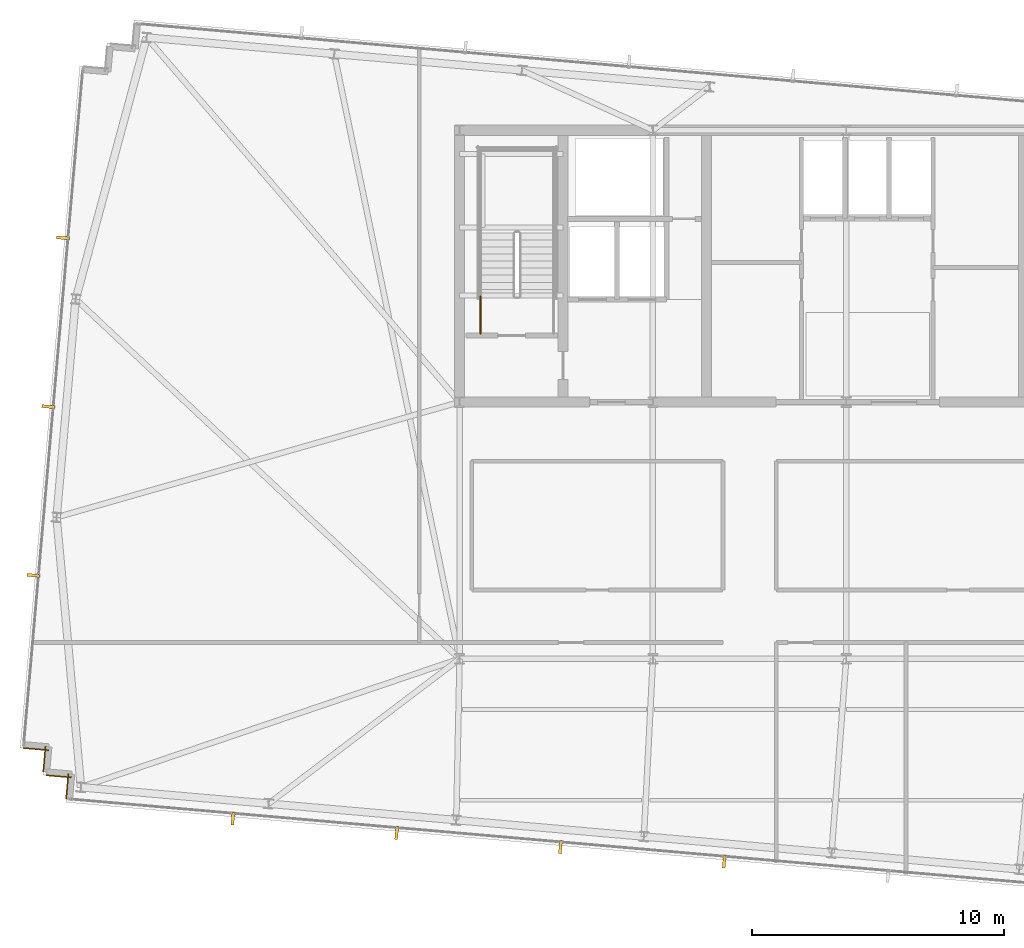
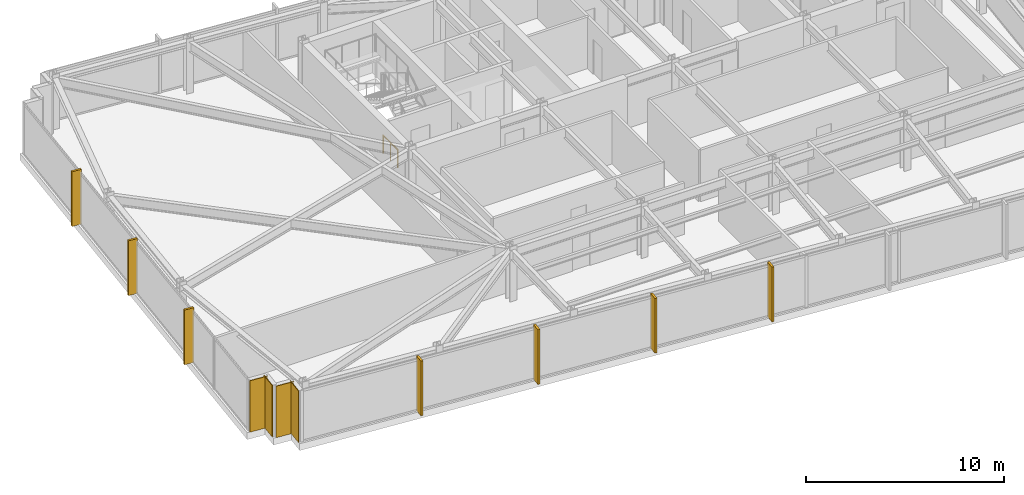
# One storey, part 29 of 32: 7 shading devices, 4 coverings, 1 railing.
"""IFC4 building model written with IfcOpenShell, lengths in metres."""

import ifcopenshell
import ifcopenshell.guid

model = None  # the IFC model being written
_history = None  # IfcOwnerHistory: only IFC2X3 demands one
_inside = {}  # id of a spatial element -> (the spatial element, [elements in it])
_under = {}  # id of a project, library or spatial element -> (it, [spatial elements below it])
_declared = {}  # id of a project -> (the project, [libraries it declares])
_typed = {}  # id of a type object -> (the type object, [elements of that type])
_made_of = {}  # id of a material, layer set ... -> (it, [elements and type objects made of it])


def new_model(schema):
    """Start an empty IFC model of exactly this schema.

    Asked for "IFC4X3", IfcOpenShell would pick the latest addendum, in which some entities
    have other attributes; the version numbers below select the first issue.
    IFC2X3 requires an IfcOwnerHistory on every rooted entity: one is made here for all.
    """
    global model, _history
    if schema == "IFC4X3":
        model = ifcopenshell.file(schema_version=(4, 3, 0, 0))
    else:
        model = ifcopenshell.file(schema=schema)
    _inside.clear()
    _under.clear()
    _declared.clear()
    _typed.clear()
    _made_of.clear()
    _history = None
    if model.schema == "IFC2X3":
        org = make("IfcOrganization", Name="unknown")
        user = make(
            "IfcPersonAndOrganization",
            ThePerson=make("IfcPerson", FamilyName="unknown"),
            TheOrganization=org,
        )
        app = make(
            "IfcApplication",
            ApplicationDeveloper=org,
            Version="unknown",
            ApplicationFullName="unknown",
            ApplicationIdentifier="unknown",
        )
        _history = make(
            "IfcOwnerHistory",
            OwningUser=user,
            OwningApplication=app,
            ChangeAction="ADDED",
            CreationDate=0,
        )
    return model


def make(cls, **values):
    """One entity of the class cls with the attributes given. An attribute that is None is left unset."""
    return model.create_entity(
        cls, **{name: value for name, value in values.items() if value is not None}
    )


def rooted(cls, **values):
    """An entity with a GlobalId (a new one), such as an element, a storey or a relation."""
    return make(cls, GlobalId=ifcopenshell.guid.new(), OwnerHistory=_history, **values)


def si_unit(unit_type, name, prefix=None):
    """IfcSIUnit, for example si_unit("LENGTHUNIT", "METRE", prefix="MILLI")."""
    return make("IfcSIUnit", UnitType=unit_type, Prefix=prefix, Name=name)


def assignment(units):
    """IfcUnitAssignment: the units of a project."""
    return None if units is None else make("IfcUnitAssignment", Units=units)


def point(xyz):
    """IfcCartesianPoint."""
    return None if xyz is None else make("IfcCartesianPoint", Coordinates=xyz)


def direction(xyz):
    """IfcDirection."""
    return None if xyz is None else make("IfcDirection", DirectionRatios=xyz)


def frame(location, z_axis=None, x_axis=None):
    """IfcAxis2Placement3D, a coordinate frame: its origin and axes. An axis left out is left unset."""
    return make(
        "IfcAxis2Placement3D",
        Location=point(location),
        Axis=direction(z_axis),
        RefDirection=direction(x_axis),
    )


def frame_2d(location, x_axis=None):
    """IfcAxis2Placement2D, a coordinate frame in the plane: its origin and x axis."""
    return make(
        "IfcAxis2Placement2D", Location=point(location), RefDirection=direction(x_axis)
    )


def origin():
    """The frame at (0, 0, 0) with its axes left unset."""
    return frame((0.0, 0.0, 0.0))


def origin_2d():
    """The frame at (0, 0) in the plane with its x axis left unset."""
    return frame_2d((0.0, 0.0))


def place(relative_to, where):
    """IfcLocalPlacement: puts the frame where relative to a parent placement (None: the world)."""
    return make(
        "IfcLocalPlacement", PlacementRelTo=relative_to, RelativePlacement=where
    )


def context(
    kind, dimensions, precision=None, world=None, true_north=None, identifier=None
):
    """IfcGeometricRepresentationContext, for example the 3D "Model" context."""
    return make(
        "IfcGeometricRepresentationContext",
        ContextIdentifier=identifier,
        ContextType=kind,
        CoordinateSpaceDimension=dimensions,
        Precision=precision,
        WorldCoordinateSystem=world,
        TrueNorth=true_north,
    )


def subcontext(parent, identifier, kind, view, scale=None):
    """IfcGeometricRepresentationSubContext, for example "Body" below "Model"."""
    return make(
        "IfcGeometricRepresentationSubContext",
        ContextIdentifier=identifier,
        ContextType=kind,
        ParentContext=parent,
        TargetScale=scale,
        TargetView=view,
    )


def project(units=None, contexts=None):
    """IfcProject with its units and contexts."""
    return rooted(
        "IfcProject",
        Name="project",
        RepresentationContexts=contexts,
        UnitsInContext=assignment(units),
    )


def spatial(cls, under=None, at=None, **own):
    """A site, building, storey or space (cls), placed at a placement, below another one or the project."""
    s = rooted(cls, ObjectPlacement=at, **own)
    if under is not None:
        _under.setdefault(under.id(), (under, []))[1].append(s)
    return s


def profile(cls, at=None, kind="AREA", **sizes):
    """A parametric profile (cls). Its sizes go by their IFC names, for example OverallWidth=200.0."""
    return make(cls, ProfileType=kind, Position=at, **sizes)


def rectangle(**sizes):
    """IfcRectangleProfileDef."""
    return profile("IfcRectangleProfileDef", **sizes)


def circle(**sizes):
    """IfcCircleProfileDef."""
    return profile("IfcCircleProfileDef", **sizes)


def extrude(swept, where, along, depth):
    """IfcExtrudedAreaSolid: the profile swept, set in the frame where, extruded along a direction by depth."""
    return make(
        "IfcExtrudedAreaSolid",
        SweptArea=swept,
        Position=where,
        ExtrudedDirection=direction(along),
        Depth=depth,
    )


def shape(context_of_items, identifier, shape_type, items):
    """IfcShapeRepresentation: the items that make up one representation, for example the "Body"."""
    return make(
        "IfcShapeRepresentation",
        ContextOfItems=context_of_items,
        RepresentationIdentifier=identifier,
        RepresentationType=shape_type,
        Items=items,
    )


def material(Name=None, Category=None):
    """IfcMaterial."""
    return make("IfcMaterial", Name=Name, Category=Category)


def layer(
    of_material, thickness, ventilated=None, Name=None, Category=None, Priority=None
):
    """IfcMaterialLayer: one layer of a wall or slab, of a material (None: an air gap)."""
    return make(
        "IfcMaterialLayer",
        Material=of_material,
        LayerThickness=thickness,
        IsVentilated=ventilated,
        Name=Name,
        Category=Category,
        Priority=Priority,
    )


def layer_set(layers, Name=None):
    """IfcMaterialLayerSet."""
    return make("IfcMaterialLayerSet", MaterialLayers=layers, LayerSetName=Name)


def made_of(thing, what):
    """Note that an element or type object is made of a material, layer set ...; save() writes the relation."""
    if what is not None:
        _made_of.setdefault(what.id(), (what, []))[1].append(thing)
    return thing


def type_object(cls, material=None, **own):
    """A type object (cls), such as IfcWallType, which elements share."""
    return made_of(rooted(cls, **own), material)


def element(
    cls,
    number,
    at=None,
    inside=None,
    cuts=None,
    type_object=None,
    material=None,
    context=None,
    identifier="Body",
    shape_type=None,
    held_by="IfcProductDefinitionShape",
    body=None,
    shapes=None,
    **own,
):
    """One element of the class cls, such as IfcWall. Its Tag is "e" and its number.

    at: its placement. inside: the storey or other place that contains it. cuts: it is an
    opening in that element (IfcRelVoidsElement). A single representation is given by context,
    identifier, shape_type and body (its items); several are given by shapes. held_by: the class
    of the entity that holds the representations. save() writes the other relations.
    """
    e = rooted(cls, Tag="e%d" % number, ObjectPlacement=at, **own)
    if body is not None:
        shapes = [shape(context, identifier, shape_type, body)]
    if shapes is not None:
        e.Representation = make(held_by, Representations=shapes)
    if inside is not None:
        _inside.setdefault(inside.id(), (inside, []))[1].append(e)
    if cuts is not None:
        rooted(
            "IfcRelVoidsElement", RelatingBuildingElement=cuts, RelatedOpeningElement=e
        )
    if type_object is not None:
        _typed.setdefault(type_object.id(), (type_object, []))[1].append(e)
    return made_of(e, material)


def aggregate(whole, parts):
    """IfcRelAggregates: a whole, such as a stair, and the parts it consists of."""
    return rooted("IfcRelAggregates", RelatingObject=whole, RelatedObjects=parts)


def save(model, path):
    """Write the relations noted so far, then the file.

    IfcRelAggregates (storeys below a building ...), IfcRelContainedInSpatialStructure (elements
    in a storey), IfcRelDefinesByType, IfcRelAssociatesMaterial and IfcRelDeclares: one each for
    every whole, place, type object, material and project.
    """
    for whole, parts in _under.values():
        aggregate(whole, parts)
    for where, things in _inside.values():
        rooted(
            "IfcRelContainedInSpatialStructure",
            RelatedElements=things,
            RelatingStructure=where,
        )
    for kind, things in _typed.values():
        rooted("IfcRelDefinesByType", RelatedObjects=things, RelatingType=kind)
    for what, things in _made_of.values():
        rooted("IfcRelAssociatesMaterial", RelatedObjects=things, RelatingMaterial=what)
    for by, libraries in _declared.values():
        rooted("IfcRelDeclares", RelatingContext=by, RelatedDefinitions=libraries)
    model.write(path)


model = new_model("IFC4")

# Units and contexts
model_context = context("Model", 3, precision=1e-05, world=origin(), true_north=direction((0.0, 1.0)))
body_context = subcontext(model_context, "Body", "Model", "MODEL_VIEW")
ifc_project = project(units=[si_unit("LENGTHUNIT", "METRE"), si_unit("AREAUNIT", "SQUARE_METRE"), si_unit("VOLUMEUNIT", "CUBIC_METRE"), si_unit("PLANEANGLEUNIT", "RADIAN"), si_unit("MASSUNIT", "GRAM", prefix="KILO")], contexts=[model_context])

# Site, building, storey
site_placement = place(None, origin())
site = spatial("IfcSite", under=ifc_project, at=site_placement, CompositionType="ELEMENT")
building_placement = place(site_placement, origin())
building = spatial("IfcBuilding", under=site, at=building_placement, Name="Yelkora Congress Tower", CompositionType="ELEMENT")
storey_placement = place(building_placement, frame((0.0, 0.0, 259.10009765625)))
storey = spatial("IfcBuildingStorey", under=building, at=storey_placement, Name="L72", CompositionType="ELEMENT", Elevation=259.10009765625)

# Coverings
ifc_material_1 = material(Name="Anatolian bush-hammered limestone", Category="masonry")
ifc_layer_1 = layer(ifc_material_1, 0.0400390625)
ifc_layer_set_1 = layer_set([ifc_layer_1], Name="Anatolian bush-hammered limestone")
covering_type = type_object("IfcCoveringType", Name="COV-CLAD-SPANDREL-40", PredefinedType="CLADDING", material=ifc_layer_set_1)
for number, where, z_axis, x_axis, name in (
    (1, (7.41064453125, 19.63720703125, 0.0), (0.0, 0.0, 1.0), (0.087166950281, 0.996193717496, 0.0), "L72 Anatolian Limestone Cladding EW-L72-SR01"),
    (2, (7.62060546875, 20.4873046875, 0.0), (0.0, 0.0, 1.0), (-0.996214890596, 0.086924632611, 0.0), "L72 Anatolian Limestone Cladding EW-L72-SR02"),
):
    element("IfcCovering", number, at=place(storey_placement, frame(where, z_axis=z_axis, x_axis=x_axis)), inside=storey, type_object=covering_type, Name=name, PredefinedType="CLADDING", context=body_context, shape_type="SweptSolid", body=[
        extrude(rectangle(XDim=1.0, YDim=0.0400390625, at=frame_2d((0.5, 0.0))), origin(), (0.0, 0.0, 1.0), 3.179931640625),
    ])
covering_1_placement = place(storey_placement, frame((6.501708984375, 20.720458984375, 0.0), z_axis=(0.0, 0.0, 1.0), x_axis=(0.087145753297, 0.996195572005, 0.0)))
element("IfcCovering", 3, at=covering_1_placement, inside=storey, type_object=covering_type, Name="L72 Anatolian Limestone Cladding EW-L72-SR03", PredefinedType="CLADDING", context=body_context, shape_type="SweptSolid", body=[
    extrude(rectangle(XDim=1.000244140625, YDim=0.0400390625, at=frame_2d((0.5, 0.0))), origin(), (0.0, 0.0, 1.0), 3.179931640625),
])
covering_2_placement = place(storey_placement, frame((6.71142578125, 21.570556640625, 0.0), z_axis=(0.0, 0.0, 1.0), x_axis=(-0.996193717496, 0.087166950281, 0.0)))
element("IfcCovering", 4, at=covering_2_placement, inside=storey, type_object=covering_type, Name="L72 Anatolian Limestone Cladding EW-L72-SR04", PredefinedType="CLADDING", context=body_context, shape_type="SweptSolid", body=[
    extrude(rectangle(XDim=1.0, YDim=0.0400390625, at=frame_2d((0.5, 0.0))), origin(), (0.0, 0.0, 1.0), 3.179931640625),
])

# Railing
ifc_material_2 = material(Name="Painted galvanised steel stair well guard with vertical infill", Category="steel")
ifc_layer_2 = layer(ifc_material_2, 0.06005859375)
ifc_layer_set_2 = layer_set([ifc_layer_2], Name="Painted galvanised steel stair well guard with vertical infill")
railing_type = type_object("IfcRailingType", Name="RAIL-STAIR-GUARD-1120", PredefinedType="GUARDRAIL", material=ifc_layer_set_2)
railing_placement = place(storey_placement, frame((23.8701171875, 38.1201171875, 0.0)))
element("IfcRailing", 5, at=railing_placement, inside=storey, type_object=railing_type, Name="ST-01 L72 Stair Well Guardrail 9", PredefinedType="GUARDRAIL", context=body_context, shape_type="SweptSolid", body=[
    extrude(circle(Radius=0.02392578125, at=origin_2d()), frame((0.0, 0.0, 1.09619140625), z_axis=(0.0, 1.0, 0.0), x_axis=(-1.0, 0.0, 0.0)), (0.0, 0.0, 1.0), 1.47998046875),
    extrude(circle(Radius=0.02099609375, at=origin_2d()), origin(), (0.0, 0.0, 1.0), 1.072021484375),
    extrude(circle(Radius=0.02099609375, at=origin_2d()), frame((0.0, 0.739990234375, 0.0)), (0.0, 0.0, 1.0), 1.072021484375),
    extrude(circle(Radius=0.02099609375, at=origin_2d()), frame((0.0, 1.47998046875, 0.0)), (0.0, 0.0, 1.0), 1.072021484375),
])

# Shading devices
ifc_material_3 = material(Name="Champagne anodised aluminium", Category="aluminium")
ifc_layer_3 = layer(ifc_material_3, 3.300048828125)
ifc_layer_set_3 = layer_set([ifc_layer_3], Name="Champagne anodised aluminium")
shading_device_type = type_object("IfcShadingDeviceType", Name="SHD-FIN-ALU-520", PredefinedType="USERDEFINED", material=ifc_layer_set_3)
for number, where, z_axis, x_axis, name in (
    (6, (6.114501953125, 28.513916015625, -0.030029296875), (0.0, 0.0, 1.0), (0.087155742748, 0.996194698092, 0.0), "L72 Vertical Anodised Solar Fin 5-1"),
    (7, (6.700927734375, 35.218505859375, -0.030029296875), (0.0, 0.0, 1.0), (0.087155742748, 0.996194698092, 0.0), "L72 Vertical Anodised Solar Fin 5-2"),
    (8, (7.28759765625, 41.9228515625, -0.030029296875), (0.0, 0.0, 1.0), (0.087155742748, 0.996194698092, 0.0), "L72 Vertical Anodised Solar Fin 5-3"),
    (9, (33.553955078125, 17.149169921875, -0.030029296875), (0.0, 0.0, 1.0), (-0.996194698092, 0.087155742748, 0.0), "L72 Vertical Anodised Solar Fin 20-3"),
    (10, (27.04736328125, 17.718505859375, -0.030029296875), (0.0, 0.0, 1.0), (-0.996194698092, 0.087155742748, 0.0), "L72 Vertical Anodised Solar Fin 20-4"),
    (11, (20.541015625, 18.28759765625, -0.030029296875), (0.0, 0.0, 1.0), (-0.996194698092, 0.087155742748, 0.0), "L72 Vertical Anodised Solar Fin 20-5"),
    (12, (14.0341796875, 18.85693359375, -0.030029296875), (0.0, 0.0, 1.0), (-0.996194698092, 0.087155742748, 0.0), "L72 Vertical Anodised Solar Fin 20-6"),
):
    element("IfcShadingDevice", number, at=place(storey_placement, frame(where, z_axis=z_axis, x_axis=x_axis)), inside=storey, type_object=shading_device_type, Name=name, ObjectType="FIN", PredefinedType="USERDEFINED", context=body_context, shape_type="SweptSolid", body=[
        extrude(rectangle(XDim=0.1201171875, YDim=0.52001953125, at=origin_2d()), origin(), (0.0, 0.0, 1.0), 3.3798828125),
    ])

save(model, "model.ifc")
